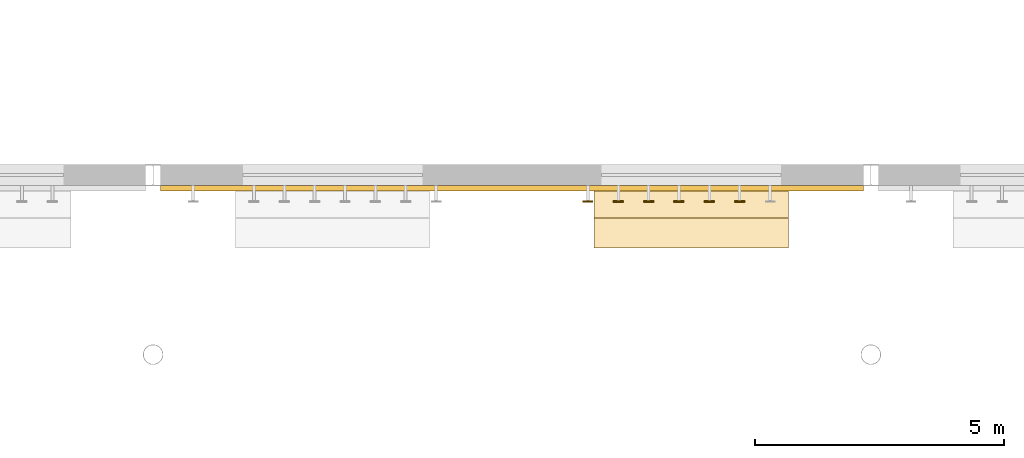
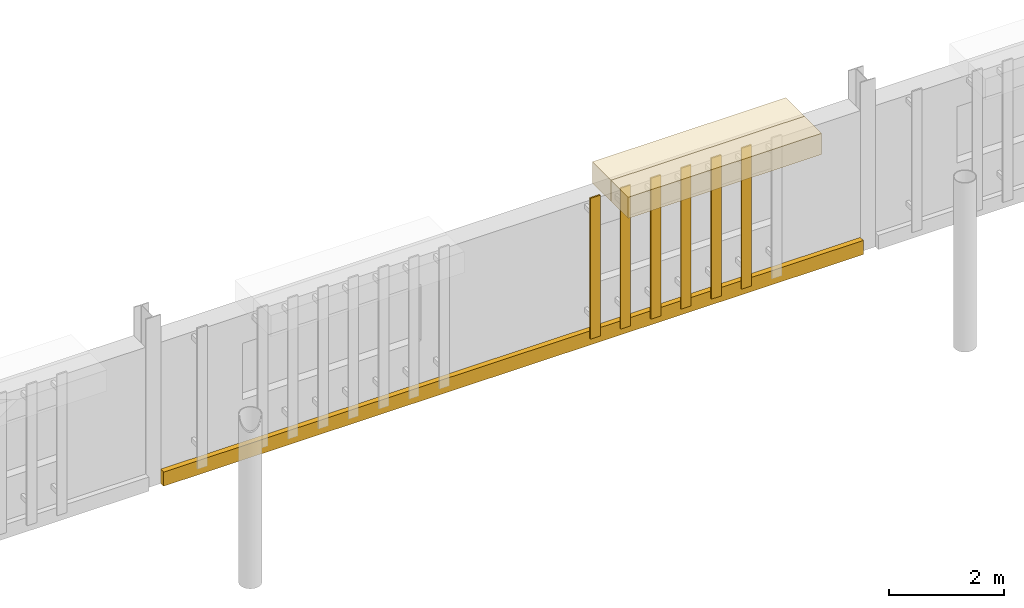
# One storey, part 105 of 124: 6 shading devices, 3 coverings.
"""IFC4 building model written with IfcOpenShell, lengths in metres."""

import ifcopenshell
import ifcopenshell.guid

model = None  # the IFC model being written
_history = None  # IfcOwnerHistory: only IFC2X3 demands one
_inside = {}  # id of a spatial element -> (the spatial element, [elements in it])
_under = {}  # id of a project, library or spatial element -> (it, [spatial elements below it])
_declared = {}  # id of a project -> (the project, [libraries it declares])
_typed = {}  # id of a type object -> (the type object, [elements of that type])
_made_of = {}  # id of a material, layer set ... -> (it, [elements and type objects made of it])


def new_model(schema):
    """Start an empty IFC model of exactly this schema.

    Asked for "IFC4X3", IfcOpenShell would pick the latest addendum, in which some entities
    have other attributes; the version numbers below select the first issue.
    IFC2X3 requires an IfcOwnerHistory on every rooted entity: one is made here for all.
    """
    global model, _history
    if schema == "IFC4X3":
        model = ifcopenshell.file(schema_version=(4, 3, 0, 0))
    else:
        model = ifcopenshell.file(schema=schema)
    _inside.clear()
    _under.clear()
    _declared.clear()
    _typed.clear()
    _made_of.clear()
    _history = None
    if model.schema == "IFC2X3":
        org = make("IfcOrganization", Name="unknown")
        user = make(
            "IfcPersonAndOrganization",
            ThePerson=make("IfcPerson", FamilyName="unknown"),
            TheOrganization=org,
        )
        app = make(
            "IfcApplication",
            ApplicationDeveloper=org,
            Version="unknown",
            ApplicationFullName="unknown",
            ApplicationIdentifier="unknown",
        )
        _history = make(
            "IfcOwnerHistory",
            OwningUser=user,
            OwningApplication=app,
            ChangeAction="ADDED",
            CreationDate=0,
        )
    return model


def make(cls, **values):
    """One entity of the class cls with the attributes given. An attribute that is None is left unset."""
    return model.create_entity(
        cls, **{name: value for name, value in values.items() if value is not None}
    )


def rooted(cls, **values):
    """An entity with a GlobalId (a new one), such as an element, a storey or a relation."""
    return make(cls, GlobalId=ifcopenshell.guid.new(), OwnerHistory=_history, **values)


def si_unit(unit_type, name, prefix=None):
    """IfcSIUnit, for example si_unit("LENGTHUNIT", "METRE", prefix="MILLI")."""
    return make("IfcSIUnit", UnitType=unit_type, Prefix=prefix, Name=name)


def assignment(units):
    """IfcUnitAssignment: the units of a project."""
    return None if units is None else make("IfcUnitAssignment", Units=units)


def point(xyz):
    """IfcCartesianPoint."""
    return None if xyz is None else make("IfcCartesianPoint", Coordinates=xyz)


def direction(xyz):
    """IfcDirection."""
    return None if xyz is None else make("IfcDirection", DirectionRatios=xyz)


def frame(location, z_axis=None, x_axis=None):
    """IfcAxis2Placement3D, a coordinate frame: its origin and axes. An axis left out is left unset."""
    return make(
        "IfcAxis2Placement3D",
        Location=point(location),
        Axis=direction(z_axis),
        RefDirection=direction(x_axis),
    )


def frame_2d(location, x_axis=None):
    """IfcAxis2Placement2D, a coordinate frame in the plane: its origin and x axis."""
    return make(
        "IfcAxis2Placement2D", Location=point(location), RefDirection=direction(x_axis)
    )


def origin():
    """The frame at (0, 0, 0) with its axes left unset."""
    return frame((0.0, 0.0, 0.0))


def origin_2d():
    """The frame at (0, 0) in the plane with its x axis left unset."""
    return frame_2d((0.0, 0.0))


def place(relative_to, where):
    """IfcLocalPlacement: puts the frame where relative to a parent placement (None: the world)."""
    return make(
        "IfcLocalPlacement", PlacementRelTo=relative_to, RelativePlacement=where
    )


def context(
    kind, dimensions, precision=None, world=None, true_north=None, identifier=None
):
    """IfcGeometricRepresentationContext, for example the 3D "Model" context."""
    return make(
        "IfcGeometricRepresentationContext",
        ContextIdentifier=identifier,
        ContextType=kind,
        CoordinateSpaceDimension=dimensions,
        Precision=precision,
        WorldCoordinateSystem=world,
        TrueNorth=true_north,
    )


def subcontext(parent, identifier, kind, view, scale=None):
    """IfcGeometricRepresentationSubContext, for example "Body" below "Model"."""
    return make(
        "IfcGeometricRepresentationSubContext",
        ContextIdentifier=identifier,
        ContextType=kind,
        ParentContext=parent,
        TargetScale=scale,
        TargetView=view,
    )


def project(units=None, contexts=None):
    """IfcProject with its units and contexts."""
    return rooted(
        "IfcProject",
        Name="project",
        RepresentationContexts=contexts,
        UnitsInContext=assignment(units),
    )


def spatial(cls, under=None, at=None, **own):
    """A site, building, storey or space (cls), placed at a placement, below another one or the project."""
    s = rooted(cls, ObjectPlacement=at, **own)
    if under is not None:
        _under.setdefault(under.id(), (under, []))[1].append(s)
    return s


def profile(cls, at=None, kind="AREA", **sizes):
    """A parametric profile (cls). Its sizes go by their IFC names, for example OverallWidth=200.0."""
    return make(cls, ProfileType=kind, Position=at, **sizes)


def rectangle(**sizes):
    """IfcRectangleProfileDef."""
    return profile("IfcRectangleProfileDef", **sizes)


def extrude(swept, where, along, depth):
    """IfcExtrudedAreaSolid: the profile swept, set in the frame where, extruded along a direction by depth."""
    return make(
        "IfcExtrudedAreaSolid",
        SweptArea=swept,
        Position=where,
        ExtrudedDirection=direction(along),
        Depth=depth,
    )


def shape(context_of_items, identifier, shape_type, items):
    """IfcShapeRepresentation: the items that make up one representation, for example the "Body"."""
    return make(
        "IfcShapeRepresentation",
        ContextOfItems=context_of_items,
        RepresentationIdentifier=identifier,
        RepresentationType=shape_type,
        Items=items,
    )


def material(Name=None, Category=None):
    """IfcMaterial."""
    return make("IfcMaterial", Name=Name, Category=Category)


def layer(
    of_material, thickness, ventilated=None, Name=None, Category=None, Priority=None
):
    """IfcMaterialLayer: one layer of a wall or slab, of a material (None: an air gap)."""
    return make(
        "IfcMaterialLayer",
        Material=of_material,
        LayerThickness=thickness,
        IsVentilated=ventilated,
        Name=Name,
        Category=Category,
        Priority=Priority,
    )


def layer_set(layers, Name=None):
    """IfcMaterialLayerSet."""
    return make("IfcMaterialLayerSet", MaterialLayers=layers, LayerSetName=Name)


def made_of(thing, what):
    """Note that an element or type object is made of a material, layer set ...; save() writes the relation."""
    if what is not None:
        _made_of.setdefault(what.id(), (what, []))[1].append(thing)
    return thing


def type_object(cls, material=None, **own):
    """A type object (cls), such as IfcWallType, which elements share."""
    return made_of(rooted(cls, **own), material)


def element(
    cls,
    number,
    at=None,
    inside=None,
    cuts=None,
    type_object=None,
    material=None,
    context=None,
    identifier="Body",
    shape_type=None,
    held_by="IfcProductDefinitionShape",
    body=None,
    shapes=None,
    **own,
):
    """One element of the class cls, such as IfcWall. Its Tag is "e" and its number.

    at: its placement. inside: the storey or other place that contains it. cuts: it is an
    opening in that element (IfcRelVoidsElement). A single representation is given by context,
    identifier, shape_type and body (its items); several are given by shapes. held_by: the class
    of the entity that holds the representations. save() writes the other relations.
    """
    e = rooted(cls, Tag="e%d" % number, ObjectPlacement=at, **own)
    if body is not None:
        shapes = [shape(context, identifier, shape_type, body)]
    if shapes is not None:
        e.Representation = make(held_by, Representations=shapes)
    if inside is not None:
        _inside.setdefault(inside.id(), (inside, []))[1].append(e)
    if cuts is not None:
        rooted(
            "IfcRelVoidsElement", RelatingBuildingElement=cuts, RelatedOpeningElement=e
        )
    if type_object is not None:
        _typed.setdefault(type_object.id(), (type_object, []))[1].append(e)
    return made_of(e, material)


def aggregate(whole, parts):
    """IfcRelAggregates: a whole, such as a stair, and the parts it consists of."""
    return rooted("IfcRelAggregates", RelatingObject=whole, RelatedObjects=parts)


def save(model, path):
    """Write the relations noted so far, then the file.

    IfcRelAggregates (storeys below a building ...), IfcRelContainedInSpatialStructure (elements
    in a storey), IfcRelDefinesByType, IfcRelAssociatesMaterial and IfcRelDeclares: one each for
    every whole, place, type object, material and project.
    """
    for whole, parts in _under.values():
        aggregate(whole, parts)
    for where, things in _inside.values():
        rooted(
            "IfcRelContainedInSpatialStructure",
            RelatedElements=things,
            RelatingStructure=where,
        )
    for kind, things in _typed.values():
        rooted("IfcRelDefinesByType", RelatedObjects=things, RelatingType=kind)
    for what, things in _made_of.values():
        rooted("IfcRelAssociatesMaterial", RelatedObjects=things, RelatingMaterial=what)
    for by, libraries in _declared.values():
        rooted("IfcRelDeclares", RelatingContext=by, RelatedDefinitions=libraries)
    model.write(path)


model = new_model("IFC4")

# Units and contexts
model_context = context("Model", 3, precision=1e-05, world=origin(), true_north=direction((0.0, 1.0)))
body_context = subcontext(model_context, "Body", "Model", "MODEL_VIEW")
ifc_project = project(units=[si_unit("LENGTHUNIT", "METRE"), si_unit("AREAUNIT", "SQUARE_METRE"), si_unit("VOLUMEUNIT", "CUBIC_METRE"), si_unit("PLANEANGLEUNIT", "RADIAN"), si_unit("MASSUNIT", "GRAM", prefix="KILO")], contexts=[model_context])

# Site, building, storey
site_placement = place(None, origin())
site = spatial("IfcSite", under=ifc_project, at=site_placement, CompositionType="ELEMENT")
building_placement = place(site_placement, origin())
building = spatial("IfcBuilding", under=site, at=building_placement, Name="Kupolbacken Congress Centre", CompositionType="ELEMENT")
storey_placement = place(building_placement, frame((0.0, 0.0, 10.800048828125)))
storey = spatial("IfcBuildingStorey", under=building, at=storey_placement, Name="L03", CompositionType="ELEMENT", Elevation=10.800048828125)

# Coverings
ifc_material_1 = material(Name="Brick cladding", Category="masonry")
ifc_layer_1 = layer(ifc_material_1, 0.10791015625)
ifc_layer_set_1 = layer_set([ifc_layer_1], Name="Brick cladding")
covering_type_1 = type_object("IfcCoveringType", Name="CV2 brick cladding band 108", PredefinedType="CLADDING", material=ifc_layer_set_1)
covering_1_placement = place(storey_placement, frame((129.60009765625, 42.93603515625, 0.0), z_axis=(0.0, 0.0, 1.0), x_axis=(1.0, 0.0, 0.0)))
element("IfcCovering", 1, at=covering_1_placement, inside=storey, type_object=covering_type_1, Name="E/H/S/L03/365/band", PredefinedType="CLADDING", context=body_context, shape_type="SweptSolid", body=[
    extrude(rectangle(XDim=14.10009765625, YDim=0.10791015625, at=origin_2d()), origin(), (0.0, 0.0, 1.0), 0.300048828125),
])
ifc_material_2 = material(Name="Limestone cladding", Category="masonry")
ifc_layer_2 = layer(ifc_material_2, 0.60009765625)
ifc_layer_set_2 = layer_set([ifc_layer_2], Name="Limestone cladding")
covering_type_2 = type_object("IfcCoveringType", Name="CV5 limestone arcade pier 600", PredefinedType="CLADDING", material=ifc_layer_set_2)
covering_2_placement = place(storey_placement, frame((133.199951171875, 42.6650390625, 3.35009765625), z_axis=(0.0, 0.0, 1.0), x_axis=(1.0, 0.0, 0.0)))
element("IfcCovering", 2, at=covering_2_placement, inside=storey, type_object=covering_type_2, Name="F/HR/H/S/fin/06/1/a", PredefinedType="CLADDING", context=body_context, shape_type="SweptSolid", body=[
    extrude(rectangle(XDim=3.89990234375, YDim=0.64990234375, at=origin_2d()), origin(), (0.0, 0.0, 1.0), 0.449951171875),
])
covering_3_placement = place(storey_placement, frame((133.199951171875, 42.0400390625, 3.35009765625), z_axis=(0.0, 0.0, 1.0), x_axis=(1.0, 0.0, 0.0)))
element("IfcCovering", 3, at=covering_3_placement, inside=storey, type_object=covering_type_2, Name="F/HR/H/S/fin/06/1/b", PredefinedType="CLADDING", context=body_context, shape_type="SweptSolid", body=[
    extrude(rectangle(XDim=3.89990234375, YDim=0.60009765625, at=origin_2d()), origin(), (0.0, 0.0, 1.0), 0.449951171875),
])

# Shading devices
ifc_material_3 = material(Name="Aluminium alloy louvre", Category="aluminium")
ifc_layer_3 = layer(ifc_material_3, 0.030029296875)
ifc_layer_set_3 = layer_set([ifc_layer_3], Name="Aluminium alloy louvre")
shading_device_type = type_object("IfcShadingDeviceType", Name="SC1 louvre blade 30 x 200", PredefinedType="JALOUSIE", material=ifc_layer_set_3)
for number, where, z_axis, x_axis, name in (
    (4, (131.122802734375, 42.675048828125, 0.300048828125), (0.0, 0.0, 1.0), (1.0, 0.0, 0.0), "E/brise/S/L03/365/B14"),
    (5, (131.73193359375, 42.675048828125, 0.300048828125), (0.0, 0.0, 1.0), (1.0, 0.0, 0.0), "E/brise/S/L03/365/B15"),
    (6, (132.3408203125, 42.675048828125, 0.300048828125), (0.0, 0.0, 1.0), (1.0, 0.0, 0.0), "E/brise/S/L03/365/B16"),
    (7, (132.949951171875, 42.675048828125, 0.300048828125), (0.0, 0.0, 1.0), (1.0, 0.0, 0.0), "E/brise/S/L03/365/B17"),
    (8, (133.55908203125, 42.675048828125, 0.300048828125), (0.0, 0.0, 1.0), (1.0, 0.0, 0.0), "E/brise/S/L03/365/B18"),
    (9, (134.168212890625, 42.675048828125, 0.300048828125), (0.0, 0.0, 1.0), (1.0, 0.0, 0.0), "E/brise/S/L03/365/B19"),
):
    element("IfcShadingDevice", number, at=place(storey_placement, frame(where, z_axis=z_axis, x_axis=x_axis)), inside=storey, type_object=shading_device_type, Name=name, PredefinedType="JALOUSIE", context=body_context, shape_type="SweptSolid", body=[
        extrude(rectangle(XDim=0.199951171875, YDim=0.030029296875, at=origin_2d()), origin(), (0.0, 0.0, 1.0), 3.0),
    ])

save(model, "model.ifc")
